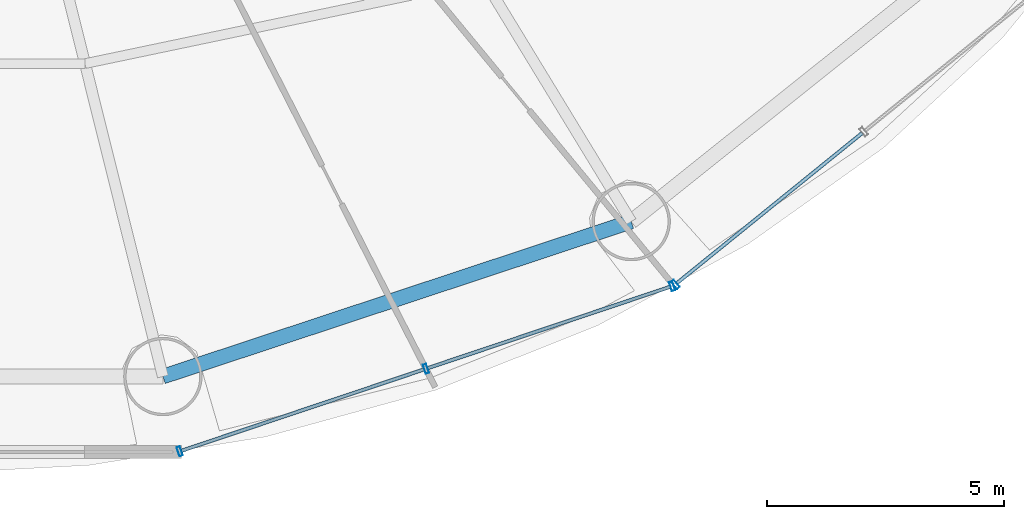
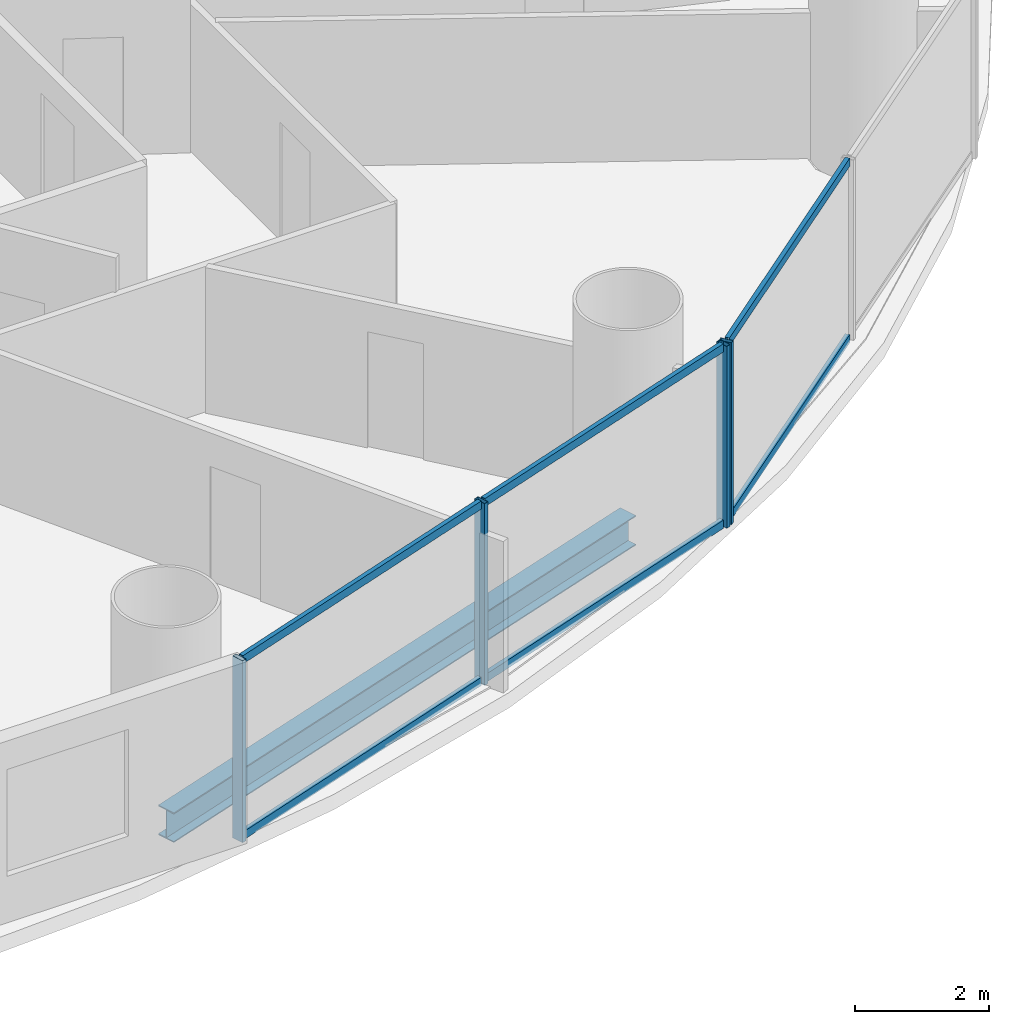
# One storey, part 8 of 28: 10 members, 1 beam, 2 elements without a shape of their own.
"""IFC4 building model written with IfcOpenShell, lengths in metres."""

from ifc_helpers import new_model, si_unit, direction, frame, origin, origin_2d, place, context, subcontext, project, spatial, hollow_rectangle, i_section, extrude, source, transform, mapped, material, material_profile, profile_set, type_object, element, aggregate, save


model = new_model("IFC4")

# Units and contexts
model_context = context("Model", 3, precision=1e-05, world=origin(), true_north=direction((-0.2419218956, 0.970295726276)))
body_context = subcontext(model_context, "Body", "Model", "MODEL_VIEW")
ifc_project = project(units=[si_unit("LENGTHUNIT", "METRE"), si_unit("AREAUNIT", "SQUARE_METRE"), si_unit("VOLUMEUNIT", "CUBIC_METRE"), si_unit("PLANEANGLEUNIT", "RADIAN"), si_unit("MASSUNIT", "GRAM", prefix="KILO")], contexts=[model_context])

# Site, building, storey
site_placement = place(None, origin())
site = spatial("IfcSite", under=ifc_project, at=site_placement, CompositionType="ELEMENT")
building_placement = place(site_placement, origin())
building = spatial("IfcBuilding", under=site, at=building_placement, Name="Cobrevalo Terracotta Tower", CompositionType="ELEMENT")
storey_placement = place(building_placement, frame((0.0, 0.0, 42.0)))
storey = spatial("IfcBuildingStorey", under=building, at=storey_placement, Name="L10", CompositionType="ELEMENT", Elevation=42.0)

# Beam
ifc_material_1 = material(Name="Steel S355", Category="steel")
ifc_material_profile_1 = material_profile(ifc_material_1, i_section(OverallWidth=0.31201171875, OverallDepth=0.54296875, WebThickness=0.0126953125, FlangeThickness=0.020263671875, at=origin_2d()), Name="W 530x150")
ifc_profile_set_1 = profile_set([ifc_material_profile_1], Name="Steel S355")
beam_type = type_object("IfcBeamType", Name="Structural Spandrel W 530x150 (Steel S355)", PredefinedType="SPANDREL", material=ifc_profile_set_1)
beam_placement = place(storey_placement, frame((43.335693359375, 5.369873046875, -0.551513671875), z_axis=(0.949372202648, 0.314153498848, 0.0), x_axis=(-0.314153498848, 0.949372202648, 0.0)))
element("IfcBeam", 1, at=beam_placement, inside=storey, type_object=beam_type, Name="L10 perimeter ring spandrel 13", PredefinedType="SPANDREL", context=body_context, shape_type="SweptSolid", body=[
    extrude(i_section(OverallWidth=0.31201171875, OverallDepth=0.54296875, WebThickness=0.0126953125, FlangeThickness=0.020263671875, at=origin_2d()), origin(), (0.0, 0.0, 1.0), 10.385009765625),
])

# Curtain wall, members
ifc_material_2 = material(Name="Anodized aluminium", Category="aluminium")
curtain_wall_type = type_object("IfcCurtainWallType", Name="Lower-tower unitised acoustic low-E curtain wall CW-U1", PredefinedType="NOTDEFINED", material=ifc_material_2)
curtain_wall_1_placement = place(storey_placement, origin())
curtain_wall_1 = element("IfcCurtainWall", 2, at=curtain_wall_1_placement, inside=storey, type_object=curtain_wall_type, Name="L10 curtain wall CW-L10-S13", PredefinedType="NOTDEFINED")
ifc_material_profile_2 = material_profile(ifc_material_2, hollow_rectangle(XDim=0.074951171875, YDim=0.199951171875, WallThickness=0.0048828125, at=origin_2d()), Name="CWM 75x200")
ifc_profile_set_2 = profile_set([ifc_material_profile_2], Name="Anodized aluminium")
member_type_1 = type_object("IfcMemberType", Name="Lower/mid tower unitised mullion 75x200", PredefinedType="MULLION", material=ifc_profile_set_2)
shared_shape_1 = source(origin(), body_context, "Body", "SweptSolid", [
    extrude(hollow_rectangle(XDim=0.074951171875, YDim=0.199951171875, WallThickness=0.0048828125, at=origin_2d()), origin(), (0.0, 0.0, 1.0), 3.320068359375),
])
member_1_placement = place(storey_placement, frame((43.689697265625, 3.793701171875, 0.0), z_axis=(0.0, 0.0, 1.0), x_axis=(0.948046393597, 0.318132103987, 0.0)))
member_1 = element("IfcMember", 3, at=member_1_placement, type_object=member_type_1, Name="CW-L10-S13 vertical mullion 01", PredefinedType="MULLION", context=body_context, shape_type="MappedRepresentation", body=[
    mapped(shared_shape_1, transform((0.0, 0.0, 0.0), scale=1.0)),
])
member_2_placement = place(storey_placement, frame((48.873291015625, 5.533203125, 0.0), z_axis=(0.0, 0.0, 1.0), x_axis=(0.948046393597, 0.318132103987, 0.0)))
member_2 = element("IfcMember", 4, at=member_2_placement, type_object=member_type_1, Name="CW-L10-S13 vertical mullion 02", PredefinedType="MULLION", context=body_context, shape_type="MappedRepresentation", body=[
    mapped(shared_shape_1, transform((0.0, 0.0, 0.0), scale=1.0)),
])
member_3_placement = place(storey_placement, frame((54.056884765625, 7.272705078125, 0.0), z_axis=(0.0, 0.0, 1.0), x_axis=(0.948046393597, 0.318132103987, 0.0)))
member_3 = element("IfcMember", 5, at=member_3_placement, type_object=member_type_1, Name="CW-L10-S13 vertical mullion 03", PredefinedType="MULLION", context=body_context, shape_type="MappedRepresentation", body=[
    mapped(shared_shape_1, transform((0.0, 0.0, 0.0), scale=1.0)),
])

curtain_wall_2_placement = place(storey_placement, origin())
curtain_wall_2 = element("IfcCurtainWall", 6, at=curtain_wall_2_placement, inside=storey, type_object=curtain_wall_type, Name="L10 curtain wall CW-L10-S14", PredefinedType="NOTDEFINED")
member_4_placement = place(storey_placement, frame((54.1259765625, 7.310546875, 0.0), z_axis=(0.0, 0.0, 1.0), x_axis=(0.777003153187, 0.629496703675, 0.0)))
member_4 = element("IfcMember", 7, at=member_4_placement, type_object=member_type_1, Name="CW-L10-S14 vertical mullion 01", PredefinedType="MULLION", context=body_context, shape_type="MappedRepresentation", body=[
    mapped(shared_shape_1, transform((0.0, 0.0, 0.0), scale=1.0)),
])
ifc_material_profile_3 = material_profile(ifc_material_2, hollow_rectangle(XDim=0.074951171875, YDim=0.14990234375, WallThickness=0.00439453125, at=origin_2d()), Name="CWT 75x150")
ifc_profile_set_3 = profile_set([ifc_material_profile_3], Name="Anodized aluminium")
member_type_2 = type_object("IfcMemberType", Name="Tower unitised aluminium transom 75x150", PredefinedType="USERDEFINED", material=ifc_profile_set_3)
shared_shape_2 = source(origin(), body_context, "Body", "SweptSolid", [
    extrude(hollow_rectangle(XDim=0.074951171875, YDim=0.14990234375, WallThickness=0.00439453125, at=origin_2d()), origin(), (0.0, 0.0, 1.0), 5.0234375),
])
member_5_placement = place(storey_placement, frame((54.156982421875, 7.335693359375, 0.050048828125), z_axis=(0.777022991593, 0.629472215857, 0.0), x_axis=(-0.629472215857, 0.777022991593, 0.0)))
member_5 = element("IfcMember", 8, at=member_5_placement, type_object=member_type_2, Name="CW-L10-S14 transom B01-T1", ObjectType="TRANSOM", PredefinedType="USERDEFINED", context=body_context, shape_type="MappedRepresentation", body=[
    mapped(shared_shape_2, transform((0.0, 0.0, 0.0), scale=1.0)),
])
member_6_placement = place(storey_placement, frame((54.156982421875, 7.335693359375, 3.27001953125), z_axis=(0.777022991593, 0.629472215857, 0.0), x_axis=(-0.629472215857, 0.777022991593, 0.0)))
member_6 = element("IfcMember", 9, at=member_6_placement, type_object=member_type_2, Name="CW-L10-S14 transom B01-T2", ObjectType="TRANSOM", PredefinedType="USERDEFINED", context=body_context, shape_type="MappedRepresentation", body=[
    mapped(shared_shape_2, transform((0.0, 0.0, 0.0), scale=1.0)),
])
aggregate(curtain_wall_2, [member_4, member_5, member_6])

# Member
shared_shape_3 = source(origin(), body_context, "Body", "SweptSolid", [
    extrude(hollow_rectangle(XDim=0.074951171875, YDim=0.14990234375, WallThickness=0.00439453125, at=origin_2d()), origin(), (0.0, 0.0, 1.0), 5.387939453125),
])
member_7_placement = place(storey_placement, frame((43.7275390625, 3.806396484375, 0.050048828125), z_axis=(0.94804244582, 0.318143868278, 0.0), x_axis=(-0.318143868278, 0.94804244582, 0.0)))
member_7 = element("IfcMember", 10, at=member_7_placement, type_object=member_type_2, Name="CW-L10-S13 transom B01-T1", ObjectType="TRANSOM", PredefinedType="USERDEFINED", context=body_context, shape_type="MappedRepresentation", body=[
    mapped(shared_shape_3, transform((0.0, 0.0, 0.0), scale=1.0)),
])

member_8_placement = place(storey_placement, frame((43.7275390625, 3.806396484375, 3.27001953125), z_axis=(0.94804244582, 0.318143868278, 0.0), x_axis=(-0.318143868278, 0.94804244582, 0.0)))
member_8 = element("IfcMember", 11, at=member_8_placement, type_object=member_type_2, Name="CW-L10-S13 transom B01-T2", ObjectType="TRANSOM", PredefinedType="USERDEFINED", context=body_context, shape_type="MappedRepresentation", body=[
    mapped(shared_shape_3, transform((0.0, 0.0, 0.0), scale=1.0)),
])

member_9_placement = place(storey_placement, frame((48.9111328125, 5.5458984375, 0.050048828125), z_axis=(0.94804244582, 0.318143868278, 0.0), x_axis=(-0.318143868278, 0.94804244582, 0.0)))
member_9 = element("IfcMember", 12, at=member_9_placement, type_object=member_type_2, Name="CW-L10-S13 transom B02-T1", ObjectType="TRANSOM", PredefinedType="USERDEFINED", context=body_context, shape_type="MappedRepresentation", body=[
    mapped(shared_shape_3, transform((0.0, 0.0, 0.0), scale=1.0)),
])

member_10_placement = place(storey_placement, frame((48.9111328125, 5.5458984375, 3.27001953125), z_axis=(0.94804244582, 0.318143868278, 0.0), x_axis=(-0.318143868278, 0.94804244582, 0.0)))
member_10 = element("IfcMember", 13, at=member_10_placement, type_object=member_type_2, Name="CW-L10-S13 transom B02-T2", ObjectType="TRANSOM", PredefinedType="USERDEFINED", context=body_context, shape_type="MappedRepresentation", body=[
    mapped(shared_shape_3, transform((0.0, 0.0, 0.0), scale=1.0)),
])

aggregate(curtain_wall_1, [member_1, member_2, member_3, member_7, member_8, member_9, member_10])

save(model, "model.ifc")
